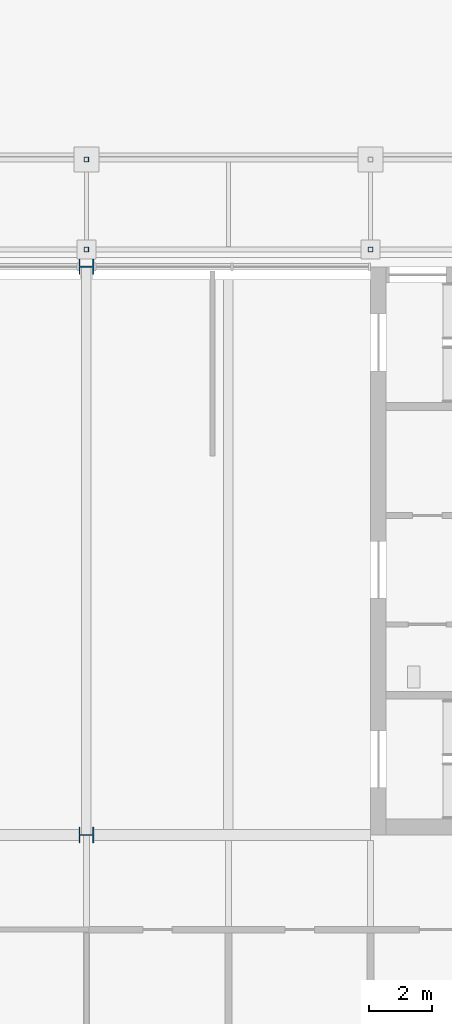
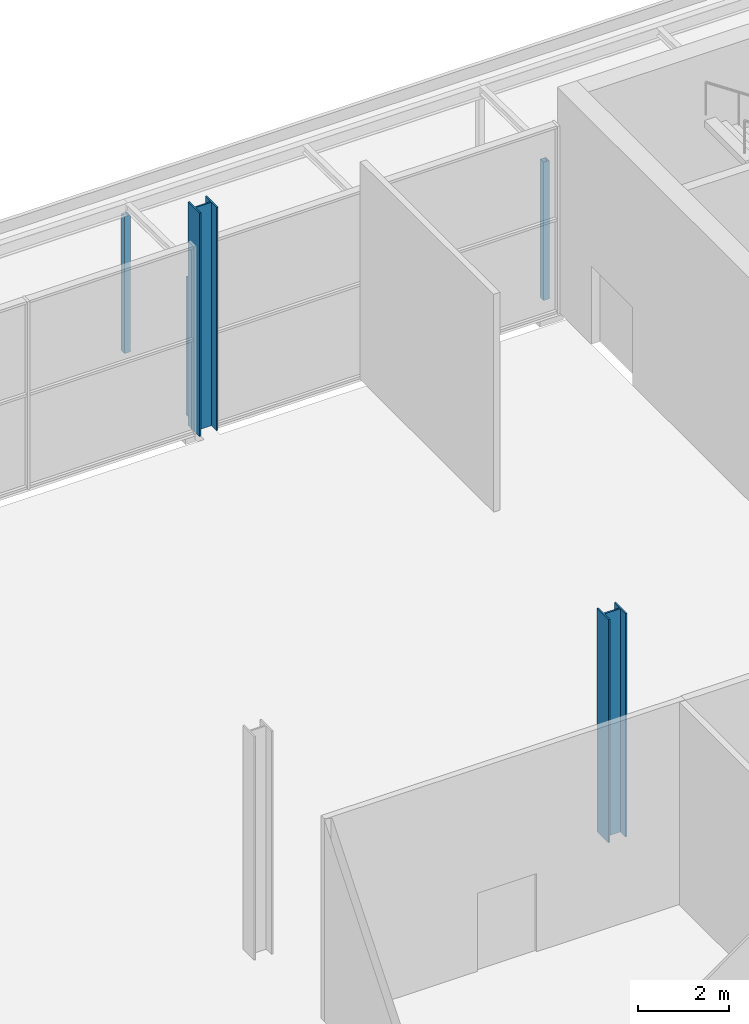
# One storey, part 17 of 97: 5 columns.
"""IFC4 building model written with IfcOpenShell, lengths in metres."""

from ifc_helpers import new_model, si_unit, direction, frame, origin, origin_2d, place, context, subcontext, project, spatial, hollow_rectangle, i_section, extrude, material, material_profile, profile_set, type_object, element, save


model = new_model("IFC4")

# Units and contexts
model_context = context("Model", 3, precision=1e-05, world=origin(), true_north=direction((0.0, 1.0)))
body_context = subcontext(model_context, "Body", "Model", "MODEL_VIEW")
ifc_project = project(units=[si_unit("LENGTHUNIT", "METRE"), si_unit("AREAUNIT", "SQUARE_METRE"), si_unit("VOLUMEUNIT", "CUBIC_METRE"), si_unit("PLANEANGLEUNIT", "RADIAN"), si_unit("MASSUNIT", "GRAM", prefix="KILO")], contexts=[model_context])

# Site, building, storey
site_placement = place(None, origin())
site = spatial("IfcSite", under=ifc_project, at=site_placement, CompositionType="ELEMENT")
building_placement = place(site_placement, origin())
building = spatial("IfcBuilding", under=site, at=building_placement, Name="Corbel Yard City Hall", CompositionType="ELEMENT")
storey_placement = place(building_placement, origin())
storey = spatial("IfcBuildingStorey", under=building, at=storey_placement, Name="L00", CompositionType="ELEMENT", Elevation=0.0)

# Columns
ifc_material_1 = material(Name="Steel Grade C450L0", Category="steel")
ifc_material_profile_1 = material_profile(ifc_material_1, hollow_rectangle(XDim=0.14990234375, YDim=0.14990234375, WallThickness=0.009033203125, at=origin_2d()), Name="150x150x9.0SHS")
ifc_profile_set_1 = profile_set([ifc_material_profile_1], Name="Steel Grade C450L0")
column_type_1 = type_object("IfcColumnType", Name="Awning Column 150x150x9.0SHS", PredefinedType="COLUMN", material=ifc_profile_set_1)
for number, where, z_axis, x_axis, name in (
    (1, (36.0, 117.550048828125, 0.0), (0.0, 0.0, 1.0), (1.0, 0.0, 0.0), "Awning Column B04"),
    (2, (45.0, 117.550048828125, 0.0), (0.0, 0.0, 1.0), (1.0, 0.0, 0.0), "Awning Column B05"),
):
    element("IfcColumn", number, at=place(storey_placement, frame(where, z_axis=z_axis, x_axis=x_axis)), inside=storey, type_object=column_type_1, Name=name, PredefinedType="COLUMN", context=body_context, shape_type="SweptSolid", body=[
        extrude(hollow_rectangle(XDim=0.14990234375, YDim=0.14990234375, WallThickness=0.009033203125, at=origin_2d()), origin(), (0.0, 0.0, 1.0), 3.71484375),
    ])
column_placement = place(storey_placement, frame((36.0, 120.39990234375, 0.0), z_axis=(0.0, 0.0, 1.0), x_axis=(1.0, 0.0, 0.0)))
element("IfcColumn", 3, at=column_placement, inside=storey, type_object=column_type_1, Name="Awning Column F04", PredefinedType="COLUMN", context=body_context, shape_type="SweptSolid", body=[
    extrude(hollow_rectangle(XDim=0.14990234375, YDim=0.14990234375, WallThickness=0.009033203125, at=origin_2d()), origin(), (0.0, 0.0, 1.0), 3.67919921875),
])
ifc_material_2 = material(Name="Steel Grade 350", Category="steel")
ifc_material_profile_2 = material_profile(ifc_material_2, i_section(OverallWidth=0.5, OverallDepth=0.47998046875, WebThickness=0.0400390625, FlangeThickness=0.0400390625, at=origin_2d()), Name="500WC440")
ifc_profile_set_2 = profile_set([ifc_material_profile_2], Name="Steel Grade 350")
column_type_2 = type_object("IfcColumnType", Name="Column 500WC440", PredefinedType="COLUMN", material=ifc_profile_set_2)
for number, where, z_axis, x_axis, name in (
    (4, (36.0, 99.0, 0.0), (0.0, 0.0, 1.0), (0.0, 1.0, 0.0), "Column 500WC440 L/5 L00"),
    (5, (36.0, 117.0, 0.0), (0.0, 0.0, 1.0), (0.0, 1.0, 0.0), "Column 500WC440 N/5 L00"),
):
    element("IfcColumn", number, at=place(storey_placement, frame(where, z_axis=z_axis, x_axis=x_axis)), inside=storey, type_object=column_type_2, Name=name, PredefinedType="COLUMN", context=body_context, shape_type="SweptSolid", body=[
        extrude(i_section(OverallWidth=0.5, OverallDepth=0.47998046875, WebThickness=0.0400390625, FlangeThickness=0.0400390625, at=origin_2d()), origin(), (0.0, 0.0, 1.0), 6.0),
    ])

save(model, "model.ifc")
